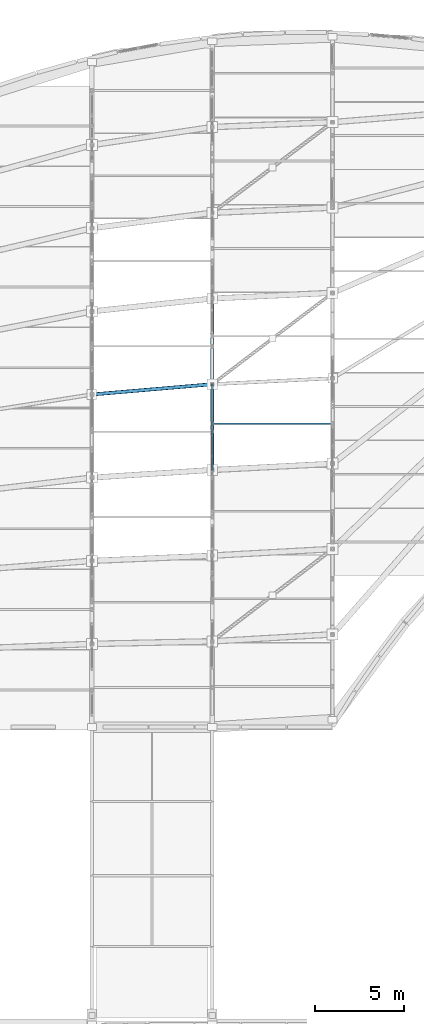
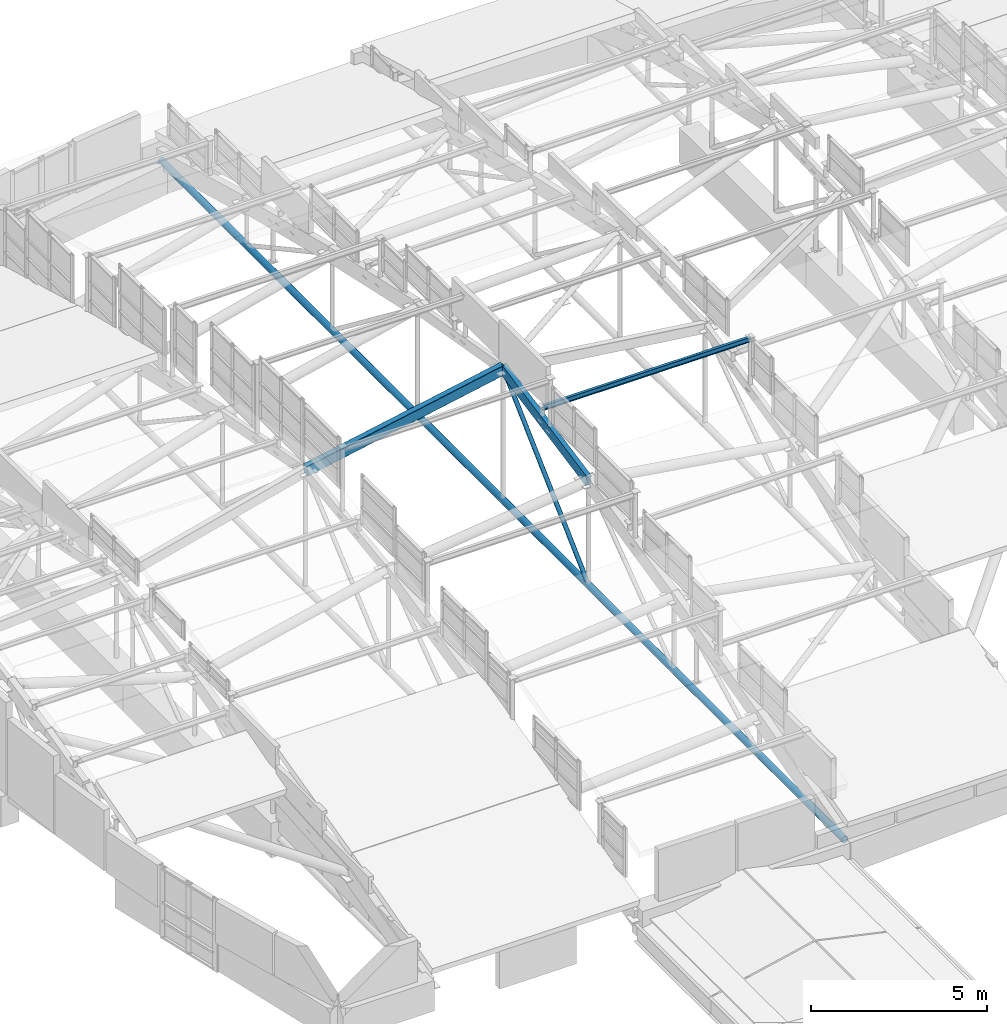
# One storey, part 88 of 188: 5 members.
"""IFC4 building model written with IfcOpenShell, lengths in metres."""

from ifc_helpers import new_model, si_unit, direction, frame, origin, origin_2d, place, context, subcontext, project, spatial, rectangle, hollow_rectangle, hollow_circle, i_section, extrude, material, material_profile, profile_set, type_object, element, save


model = new_model("IFC4")

# Units and contexts
model_context = context("Model", 3, precision=1e-05, world=origin(), true_north=direction((0.0, 1.0)))
body_context = subcontext(model_context, "Body", "Model", "MODEL_VIEW")
ifc_project = project(units=[si_unit("LENGTHUNIT", "METRE"), si_unit("AREAUNIT", "SQUARE_METRE"), si_unit("VOLUMEUNIT", "CUBIC_METRE"), si_unit("PLANEANGLEUNIT", "RADIAN"), si_unit("MASSUNIT", "GRAM", prefix="KILO")], contexts=[model_context])

# Site, building, storey
site_placement = place(None, origin())
site = spatial("IfcSite", under=ifc_project, at=site_placement, CompositionType="ELEMENT")
building_placement = place(site_placement, origin())
building = spatial("IfcBuilding", under=site, at=building_placement, Name="Kisaragi Civic Commons", CompositionType="ELEMENT")
storey_placement = place(building_placement, frame((0.0, 0.0, 9.60009765625)))
storey = spatial("IfcBuildingStorey", under=building, at=storey_placement, Name="L02", CompositionType="ELEMENT", Elevation=9.60009765625)

# Members
ifc_material_1 = material(Name="Steel SN490 (SN490B)", Category="steel")
ifc_material_profile_1 = material_profile(ifc_material_1, hollow_rectangle(XDim=0.199951171875, YDim=0.35009765625, WallThickness=0.009033203125, InnerFilletRadius=0.009033203125, OuterFilletRadius=0.01806640625, at=origin_2d()), Name="STKR-350x200x9", Category="steel")
ifc_profile_set_1 = profile_set([ifc_material_profile_1], Name="Steel SN490 (SN490B)")
member_type_1 = type_object("IfcMemberType", Name="GC-04", PredefinedType="CHORD", material=ifc_profile_set_1)
member_1_placement = place(storey_placement, frame((13.60009765625, 97.985107421875, 3.385498046875), z_axis=(0.989782347222, 0.084685169231, 0.114714110902), x_axis=(-0.085247929449, 0.996359769624, 0.0)))
element("IfcMember", 1, at=member_1_placement, inside=storey, type_object=member_type_1, Name="V2 wave gridshell chord GC-04 18", PredefinedType="CHORD", context=body_context, shape_type="SweptSolid", body=[
    extrude(hollow_rectangle(XDim=0.199951171875, YDim=0.35009765625, WallThickness=0.009033203125, InnerFilletRadius=0.009033203125, OuterFilletRadius=0.01806640625, at=origin_2d()), origin(), (0.0, 0.0, 1.0), 6.8701171875),
])
ifc_material_2 = material(Name="Glulam E120-F330", Category="wood")
ifc_material_profile_2 = material_profile(ifc_material_2, rectangle(XDim=0.14990234375, YDim=0.360107421875, at=origin_2d()), Name="GL-150x360", Category="wood")
ifc_profile_set_2 = profile_set([ifc_material_profile_2], Name="Glulam E120-F330")
member_type_2 = type_object("IfcMemberType", Name="GR-06", PredefinedType="RAFTER", material=ifc_profile_set_2)
member_2_placement = place(storey_placement, frame((20.39990234375, 93.725341796875, 3.220703125), z_axis=(0.0, 0.981177401357, 0.193108537012), x_axis=(-1.0, 0.0, 0.0)))
element("IfcMember", 2, at=member_2_placement, inside=storey, type_object=member_type_2, Name="V2 glulam arch rib GR-06 28", PredefinedType="RAFTER", context=body_context, shape_type="SweptSolid", body=[
    extrude(rectangle(XDim=0.14990234375, YDim=0.360107421875, at=origin_2d()), origin(), (0.0, 0.0, 1.0), 4.934326171875),
])
ifc_material_3 = material(Name="Steel SN400 (SN400B)", Category="steel")
ifc_material_profile_3 = material_profile(ifc_material_3, i_section(OverallWidth=0.090087890625, OverallDepth=0.175048828125, WebThickness=0.0048828125, FlangeThickness=0.008056640625, FilletRadius=0.008056640625, at=origin_2d()), Name="H-175x90x5x8", Category="steel")
ifc_profile_set_3 = profile_set([ifc_material_profile_3], Name="Steel SN400 (SN400B)")
member_type_3 = type_object("IfcMemberType", Name="PR-03", PredefinedType="PURLIN", material=ifc_profile_set_3)
member_3_placement = place(storey_placement, frame((20.39990234375, 96.33740234375, 4.161865234375), z_axis=(1.0, 0.0, 0.0), x_axis=(0.0, 1.0, 0.0)))
element("IfcMember", 3, at=member_3_placement, inside=storey, type_object=member_type_3, Name="V2 wave vault steel purlin 28", PredefinedType="PURLIN", context=body_context, shape_type="SweptSolid", body=[
    extrude(i_section(OverallWidth=0.090087890625, OverallDepth=0.175048828125, WebThickness=0.0048828125, FlangeThickness=0.008056640625, FilletRadius=0.008056640625, at=origin_2d()), origin(), (0.0, 0.0, 1.0), 6.800048828125),
])
ifc_material_profile_4 = material_profile(ifc_material_1, hollow_circle(Radius=0.06982421875, WallThickness=0.006103515625, at=origin_2d()), Name="CHS-139.8x6.0", Category="steel")
ifc_profile_set_4 = profile_set([ifc_material_profile_4], Name="Steel SN490 (SN490B)")
member_type_4 = type_object("IfcMemberType", Name="ST-H1", PredefinedType="STRUT", material=ifc_profile_set_4)
member_4_placement = place(storey_placement, frame((20.39990234375, 93.725341796875, -0.385009765625), z_axis=(0.0, 0.728062016661, 0.685511268978), x_axis=(-1.0, 0.0, 0.0)))
element("IfcMember", 4, at=member_4_placement, inside=storey, type_object=member_type_4, Name="V2 tied arch truss diagonal web strut 54", PredefinedType="STRUT", context=body_context, shape_type="SweptSolid", body=[
    extrude(hollow_circle(Radius=0.06982421875, WallThickness=0.006103515625, at=origin_2d()), origin(), (0.0, 0.0, 1.0), 6.64990234375),
])
ifc_material_profile_5 = material_profile(ifc_material_1, hollow_circle(Radius=0.108154296875, WallThickness=0.008056640625, at=origin_2d()), Name="CHS-216.3x8.0", Category="steel")
ifc_profile_set_5 = profile_set([ifc_material_profile_5], Name="Steel SN490 (SN490B)")
member_type_5 = type_object("IfcMemberType", Name="ST-T2", PredefinedType="STRUT", material=ifc_profile_set_5)
member_5_placement = place(storey_placement, frame((20.39990234375, 79.199951171875, -0.385009765625), z_axis=(0.0, 1.0, 0.0), x_axis=(-1.0, 0.0, 0.0)))
element("IfcMember", 5, at=member_5_placement, inside=storey, type_object=member_type_5, Name="V2 arch tension tie ST-T2 44", PredefinedType="STRUT", context=body_context, shape_type="SweptSolid", body=[
    extrude(hollow_circle(Radius=0.108154296875, WallThickness=0.008056640625, at=origin_2d()), origin(), (0.0, 0.0, 1.0), 38.734130859375),
])

save(model, "model.ifc")
